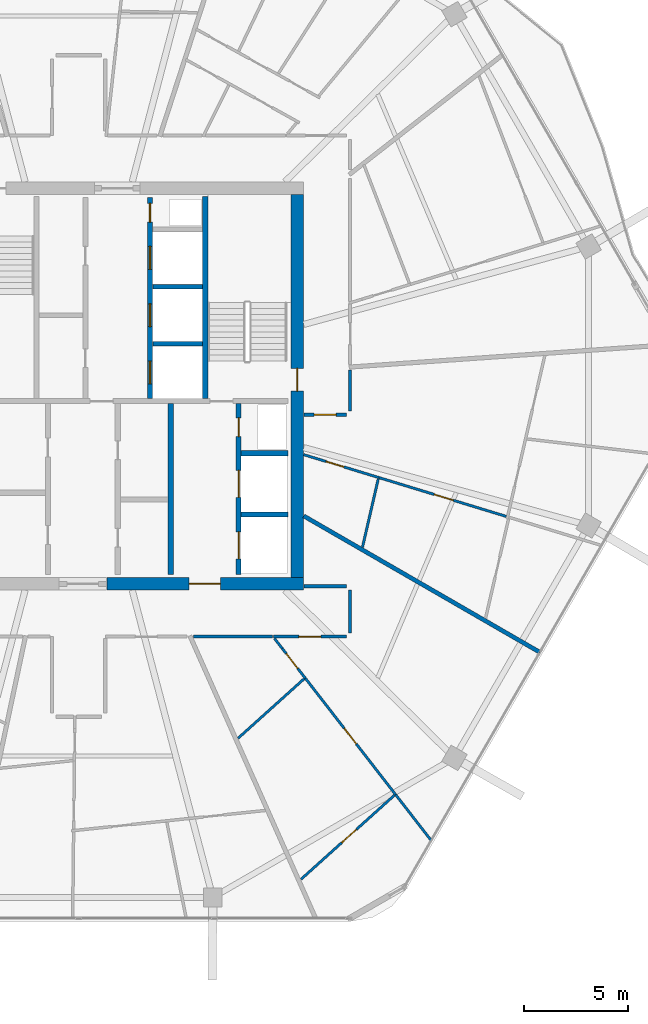
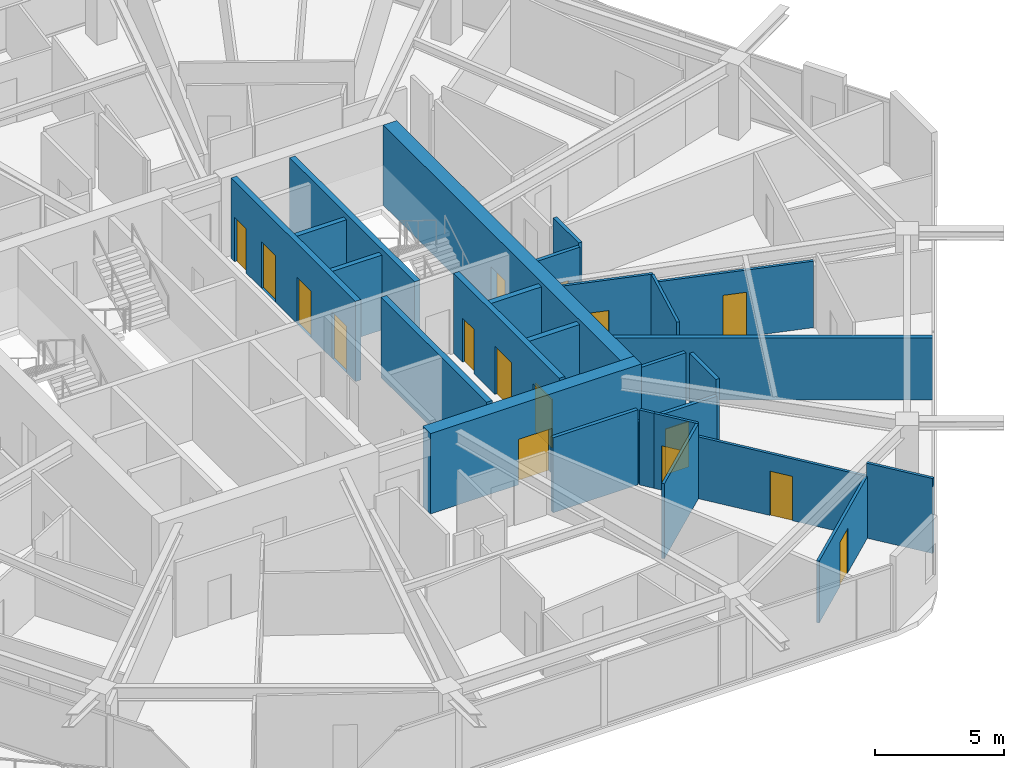
# One storey, part 20 of 26: 26 walls, 16 doors, 16 openings.
"""IFC4 building model written with IfcOpenShell, lengths in metres."""

from ifc_helpers import new_model, si_unit, direction, frame, frame_2d, origin, place, context, subcontext, project, spatial, rectangle, extrude, material, layer, layer_set, type_object, element, fill, save


model = new_model("IFC4")

# Units and contexts
model_context = context("Model", 3, precision=1e-05, world=origin(), true_north=direction((0.0, 1.0)))
body_context = subcontext(model_context, "Body", "Model", "MODEL_VIEW")
ifc_project = project(units=[si_unit("LENGTHUNIT", "METRE"), si_unit("AREAUNIT", "SQUARE_METRE"), si_unit("VOLUMEUNIT", "CUBIC_METRE"), si_unit("PLANEANGLEUNIT", "RADIAN"), si_unit("MASSUNIT", "GRAM", prefix="KILO")], contexts=[model_context])

# Site, building, storey
site_placement = place(None, origin())
site = spatial("IfcSite", under=ifc_project, at=site_placement, CompositionType="ELEMENT")
building_placement = place(site_placement, origin())
building = spatial("IfcBuilding", under=site, at=building_placement, Name="Zuhravey Tower", CompositionType="ELEMENT")
storey_placement = place(building_placement, frame((0.0, 0.0, 250.199951171875)))
storey = spatial("IfcBuildingStorey", under=building, at=storey_placement, Name="L63", CompositionType="ELEMENT", Elevation=250.199951171875)

# Wall, opening, door
ifc_material_1 = material(Name="Concrete C50/60", Category="concrete")
ifc_layer_1 = layer(ifc_material_1, 0.60009765625)
ifc_layer_set_1 = layer_set([ifc_layer_1], Name="Concrete C50/60")
wall_type_1 = type_object("IfcWallType", Name="Core Shear Wall 600", PredefinedType="SHEAR", material=ifc_layer_set_1)
wall_1_placement = place(storey_placement, frame((37.35009765625, 22.5, 0.0), z_axis=(0.0, 0.0, 1.0), x_axis=(1.0, 0.0, 0.0)))
wall_1 = element("IfcWall", 1, at=wall_1_placement, inside=storey, type_object=wall_type_1, Name="L63 South-East Core Shear Wall CW60", PredefinedType="SHEAR", context=body_context, shape_type="SweptSolid", body=[
    extrude(rectangle(XDim=9.449951171875, YDim=0.60009765625, at=frame_2d((4.72509765625, 0.0))), origin(), (0.0, 0.0, 1.0), 3.800048828125),
])
opening_1_placement = place(wall_1_placement, frame((3.949951171875, 0.0, 0.0)))
opening_1 = element("IfcOpeningElement", 2, at=opening_1_placement, cuts=wall_1, Name="Opening FFD1", PredefinedType="OPENING", context=body_context, shape_type="SweptSolid", body=[
    extrude(rectangle(XDim=1.5, YDim=2.14990234375, at=frame_2d((0.75, 1.074951171875))), frame((0.0, 0.31201171875, 0.0), z_axis=(0.0, -1.0, 0.0), x_axis=(1.0, 0.0, 0.0)), (0.0, 0.0, 1.0), 0.6240234375),
])
ifc_material_2 = material(Name="Galvanised fire-rated steel leaf", Category="steel")
door_type_1 = type_object("IfcDoorType", Name="Firefighting Lobby Double Door 1500x2150", OperationType="DOUBLE_DOOR_SINGLE_SWING", PredefinedType="DOOR", material=ifc_material_2)
door_1_placement = place(opening_1_placement, origin())
door_1 = element("IfcDoor", 3, at=door_1_placement, inside=storey, type_object=door_type_1, Name="L63 Firefighting Lobby East Door", OperationType="DOUBLE_DOOR_SINGLE_SWING", OverallHeight=2.14990234375, OverallWidth=1.5, PredefinedType="DOOR", context=body_context, shape_type="SweptSolid", body=[
    extrude(rectangle(XDim=1.5, YDim=2.14990234375, at=frame_2d((0.75, 1.074951171875))), frame((0.0, 0.02490234375, 0.0), z_axis=(0.0, -1.0, 0.0), x_axis=(1.0, 0.0, 0.0)), (0.0, 0.0, 1.0), 0.050048828125),
])
fill(opening_1, door_1)

wall_2_placement = place(storey_placement, frame((46.5, 22.800048828125, 0.0), z_axis=(0.0, 0.0, 1.0), x_axis=(0.0, 1.0, 0.0)))
wall_2 = element("IfcWall", 4, at=wall_2_placement, inside=storey, type_object=wall_type_1, Name="L63 East Core Shear Wall CW60", PredefinedType="SHEAR", context=body_context, shape_type="SweptSolid", body=[
    extrude(rectangle(XDim=18.39990234375, YDim=0.60009765625, at=frame_2d((9.199951171875, 0.0))), origin(), (0.0, 0.0, 1.0), 3.800048828125),
])
opening_2_placement = place(wall_2_placement, frame((8.949951171875, 0.0, 0.0)))
opening_2 = element("IfcOpeningElement", 5, at=opening_2_placement, cuts=wall_2, Name="Opening STD1", PredefinedType="OPENING", context=body_context, shape_type="SweptSolid", body=[
    extrude(rectangle(XDim=1.10009765625, YDim=2.14990234375, at=frame_2d((0.550048828125, 1.074951171875))), frame((0.0, 0.31201171875, 0.0), z_axis=(0.0, -1.0, 0.0), x_axis=(1.0, 0.0, 0.0)), (0.0, 0.0, 1.0), 0.6240234375),
])
door_type_2 = type_object("IfcDoorType", Name="Protected Stair Fire Door 1100x2150", OperationType="NOTDEFINED", PredefinedType="USERDEFINED", material=ifc_material_2)
door_2_placement = place(opening_2_placement, origin())
door_2 = element("IfcDoor", 6, at=door_2_placement, inside=storey, type_object=door_type_2, Name="L63 Stair ST2 Door", ObjectType="EXITDOOR", OperationType="SINGLE_SWING_LEFT", OverallHeight=2.14990234375, OverallWidth=1.10009765625, PredefinedType="USERDEFINED", context=body_context, shape_type="SweptSolid", body=[
    extrude(rectangle(XDim=1.10009765625, YDim=2.14990234375, at=frame_2d((0.550048828125, 1.074951171875))), frame((0.0, 0.02490234375, 0.0), z_axis=(0.0, -1.0, 0.0), x_axis=(1.0, 0.0, 0.0)), (0.0, 0.0, 1.0), 0.050048828125),
])
fill(opening_2, door_2)

ifc_material_3 = material(Name="Gypsum fire-rated stud partition")
ifc_layer_2 = layer(ifc_material_3, 0.159912109375)
ifc_layer_set_2 = layer_set([ifc_layer_2], Name="Gypsum fire-rated stud partition")
wall_type_2 = type_object("IfcWallType", Name="Corridor Fire Partition 160", PredefinedType="PARTITIONING", material=ifc_layer_set_2)
wall_3_placement = place(storey_placement, frame((45.356689453125, 19.969970703125, 0.0), z_axis=(0.0, 0.0, 1.0), x_axis=(1.0, 0.0, 0.0)))
wall_3 = element("IfcWall", 7, at=wall_3_placement, inside=storey, type_object=wall_type_2, Name="L63 IW16 Partition 051", PredefinedType="PARTITIONING", context=body_context, shape_type="SweptSolid", body=[
    extrude(rectangle(XDim=3.493408203125, YDim=0.159912109375, at=frame_2d((1.74658203125, 0.0))), origin(), (0.0, 0.0, 1.0), 2.949951171875),
])
opening_3_placement = place(wall_3_placement, frame((1.2216796875, 0.0, 0.0)))
opening_3 = element("IfcOpeningElement", 8, at=opening_3_placement, cuts=wall_3, Name="Opening APD1", PredefinedType="OPENING", context=body_context, shape_type="SweptSolid", body=[
    extrude(rectangle(XDim=1.050048828125, YDim=2.14990234375, at=frame_2d((0.52490234375, 1.074951171875))), frame((0.0, 0.092041015625, 0.0), z_axis=(0.0, -1.0, 0.0), x_axis=(1.0, 0.0, 0.0)), (0.0, 0.0, 1.0), 0.183837890625),
])
ifc_material_4 = material(Name="Solid-core oak fire-rated leaf")
door_type_3 = type_object("IfcDoorType", Name="Apartment Entrance Fire Door 1050x2150", OperationType="NOTDEFINED", PredefinedType="DOOR", material=ifc_material_4)
door_3_placement = place(opening_3_placement, frame((1.050048828125, 0.0, 0.0), z_axis=(0.0, 0.0, 1.0), x_axis=(-1.0, 0.0, 0.0)))
door_3 = element("IfcDoor", 9, at=door_3_placement, inside=storey, type_object=door_type_3, Name="L63 Door 051.1", OperationType="SINGLE_SWING_LEFT", OverallHeight=2.14990234375, OverallWidth=1.050048828125, PredefinedType="DOOR", context=body_context, shape_type="SweptSolid", body=[
    extrude(rectangle(XDim=1.050048828125, YDim=2.14990234375, at=frame_2d((0.52490234375, 1.074951171875))), frame((0.0, 0.02490234375, 0.0), z_axis=(0.0, -1.0, 0.0), x_axis=(1.0, 0.0, 0.0)), (0.0, 0.0, 1.0), 0.050048828125),
])
fill(opening_3, door_3)

wall_4_placement = place(storey_placement, frame((46.820068359375, 30.6201171875, 0.0), z_axis=(0.0, 0.0, 1.0), x_axis=(1.0, 0.0, 0.0)))
wall_4 = element("IfcWall", 10, at=wall_4_placement, inside=storey, type_object=wall_type_2, Name="L63 IW16 Partition 056", PredefinedType="PARTITIONING", context=body_context, shape_type="SweptSolid", body=[
    extrude(rectangle(XDim=2.030029296875, YDim=0.159912109375, at=frame_2d((1.01513671875, 0.0))), origin(), (0.0, 0.0, 1.0), 3.550048828125),
])
opening_4_placement = place(wall_4_placement, frame((0.489990234375, 0.0, 0.0)))
opening_4 = element("IfcOpeningElement", 11, at=opening_4_placement, cuts=wall_4, Name="Opening APD1", PredefinedType="OPENING", context=body_context, shape_type="SweptSolid", body=[
    extrude(rectangle(XDim=1.050048828125, YDim=2.14990234375, at=frame_2d((0.52490234375, 1.074951171875))), frame((0.0, 0.092041015625, 0.0), z_axis=(0.0, -1.0, 0.0), x_axis=(1.0, 0.0, 0.0)), (0.0, 0.0, 1.0), 0.183837890625),
])
door_4_placement = place(opening_4_placement, frame((1.050048828125, 0.0, 0.0), z_axis=(0.0, 0.0, 1.0), x_axis=(-1.0, 0.0, 0.0)))
door_4 = element("IfcDoor", 12, at=door_4_placement, inside=storey, type_object=door_type_3, Name="L63 Door 056.1", OperationType="SINGLE_SWING_LEFT", OverallHeight=2.14990234375, OverallWidth=1.050048828125, PredefinedType="DOOR", context=body_context, shape_type="SweptSolid", body=[
    extrude(rectangle(XDim=1.050048828125, YDim=2.14990234375, at=frame_2d((0.52490234375, 1.074951171875))), frame((0.0, 0.02490234375, 0.0), z_axis=(0.0, -1.0, 0.0), x_axis=(1.0, 0.0, 0.0)), (0.0, 0.0, 1.0), 0.050048828125),
])
fill(opening_4, door_4)

# Walls
wall_5_placement = place(storey_placement, frame((49.030029296875, 20.14990234375, 0.0), z_axis=(0.0, 0.0, 1.0), x_axis=(0.0, 1.0, 0.0)))
element("IfcWall", 13, at=wall_5_placement, inside=storey, type_object=wall_type_2, Name="L63 IW16 Partition 135", PredefinedType="PARTITIONING", context=body_context, shape_type="SweptSolid", body=[
    extrude(rectangle(XDim=2.050048828125, YDim=0.159912109375, at=frame_2d((1.02490234375, 0.0))), origin(), (0.0, 0.0, 1.0), 3.550048828125),
])
wall_6_placement = place(storey_placement, frame((48.85009765625, 22.3798828125, 0.0), z_axis=(0.0, 0.0, 1.0), x_axis=(-1.0, 0.0, 0.0)))
element("IfcWall", 14, at=wall_6_placement, inside=storey, type_object=wall_type_2, Name="L63 IW16 Partition 136", PredefinedType="PARTITIONING", context=body_context, shape_type="SweptSolid", body=[
    extrude(rectangle(XDim=2.030029296875, YDim=0.159912109375, at=frame_2d((1.01513671875, 0.0))), origin(), (0.0, 0.0, 1.0), 3.550048828125),
])
wall_7_placement = place(storey_placement, frame((41.50439453125, 19.969970703125, 0.0), z_axis=(0.0, 0.0, 1.0), x_axis=(1.0, 0.0, 0.0)))
element("IfcWall", 15, at=wall_7_placement, inside=storey, type_object=wall_type_2, Name="L63 IW16 Partition 137", PredefinedType="PARTITIONING", context=body_context, shape_type="SweptSolid", body=[
    extrude(rectangle(XDim=3.8017578125, YDim=0.159912109375, at=frame_2d((1.90087890625, 0.0))), origin(), (0.0, 0.0, 1.0), 3.550048828125),
])
wall_8_placement = place(storey_placement, frame((49.030029296875, 30.800048828125, 0.0), z_axis=(0.0, 0.0, 1.0), x_axis=(0.0, 1.0, 0.0)))
element("IfcWall", 16, at=wall_8_placement, inside=storey, type_object=wall_type_2, Name="L63 IW16 Partition 138", PredefinedType="PARTITIONING", context=body_context, shape_type="SweptSolid", body=[
    extrude(rectangle(XDim=1.976806640625, YDim=0.159912109375, at=frame_2d((0.98828125, 0.0))), origin(), (0.0, 0.0, 1.0), 3.550048828125),
])
ifc_layer_3 = layer(ifc_material_1, 0.25)
ifc_layer_set_3 = layer_set([ifc_layer_3], Name="Concrete C50/60")
wall_type_3 = type_object("IfcWallType", Name="Firefighting Shaft & Stair Wall 250", PredefinedType="SOLIDWALL", material=ifc_layer_set_3)
wall_9_placement = place(storey_placement, frame((42.074951171875, 31.39990234375, 0.0), z_axis=(0.0, 0.0, 1.0), x_axis=(0.0, 1.0, 0.0)))
element("IfcWall", 17, at=wall_9_placement, inside=storey, type_object=wall_type_3, Name="L63 FW25 Shaft Wall 006", PredefinedType="SOLIDWALL", context=body_context, shape_type="SweptSolid", body=[
    extrude(rectangle(XDim=9.7001953125, YDim=0.25, at=frame_2d((4.85009765625, 0.0))), origin(), (0.0, 0.0, 1.0), 3.800048828125),
])

# Wall, openings, doors
wall_10_placement = place(storey_placement, frame((39.425048828125, 31.39990234375, 0.0), z_axis=(0.0, 0.0, 1.0), x_axis=(0.0, 1.0, 0.0)))
wall_10 = element("IfcWall", 18, at=wall_10_placement, inside=storey, type_object=wall_type_3, Name="L63 FW25 Shaft Wall 008", PredefinedType="SOLIDWALL", context=body_context, shape_type="SweptSolid", body=[
    extrude(rectangle(XDim=9.650146484375, YDim=0.25, at=frame_2d((4.8251953125, 0.0))), origin(), (0.0, 0.0, 1.0), 3.800048828125),
])
opening_5_placement = place(wall_10_placement, frame((0.699951171875, 0.0, 0.0)))
opening_5 = element("IfcOpeningElement", 19, at=opening_5_placement, cuts=wall_10, Name="Opening LD1", PredefinedType="OPENING", context=body_context, shape_type="SweptSolid", body=[
    extrude(rectangle(XDim=1.10009765625, YDim=2.199951171875, at=frame_2d((0.550048828125, 1.10009765625))), frame((0.0, 0.136962890625, 0.0), z_axis=(0.0, -1.0, 0.0), x_axis=(1.0, 0.0, 0.0)), (0.0, 0.0, 1.0), 0.27392578125),
])
opening_6_placement = place(wall_10_placement, frame((3.449951171875, 0.0, 0.0)))
opening_6 = element("IfcOpeningElement", 20, at=opening_6_placement, cuts=wall_10, Name="Opening LD1", PredefinedType="OPENING", context=body_context, shape_type="SweptSolid", body=[
    extrude(rectangle(XDim=1.10009765625, YDim=2.199951171875, at=frame_2d((0.550048828125, 1.10009765625))), frame((0.0, 0.136962890625, 0.0), z_axis=(0.0, -1.0, 0.0), x_axis=(1.0, 0.0, 0.0)), (0.0, 0.0, 1.0), 0.27392578125),
])
opening_7_placement = place(wall_10_placement, frame((6.199951171875, 0.0, 0.0)))
opening_7 = element("IfcOpeningElement", 21, at=opening_7_placement, cuts=wall_10, Name="Opening LD1", PredefinedType="OPENING", context=body_context, shape_type="SweptSolid", body=[
    extrude(rectangle(XDim=1.10009765625, YDim=2.199951171875, at=frame_2d((0.550048828125, 1.10009765625))), frame((0.0, 0.136962890625, 0.0), z_axis=(0.0, -1.0, 0.0), x_axis=(1.0, 0.0, 0.0)), (0.0, 0.0, 1.0), 0.27392578125),
])
opening_8_placement = place(wall_10_placement, frame((8.469970703125, 0.0, 0.0)))
opening_8 = element("IfcOpeningElement", 22, at=opening_8_placement, cuts=wall_10, Name="Opening RSD1", PredefinedType="OPENING", context=body_context, shape_type="SweptSolid", body=[
    extrude(rectangle(XDim=0.89990234375, YDim=2.10009765625, at=frame_2d((0.449951171875, 1.050048828125))), frame((0.0, 0.136962890625, 0.0), z_axis=(0.0, -1.0, 0.0), x_axis=(1.0, 0.0, 0.0)), (0.0, 0.0, 1.0), 0.27392578125),
])
ifc_material_5 = material(Name="Brushed stainless steel", Category="steel")
door_type_4 = type_object("IfcDoorType", Name="Lift Landing Sliding Door 1100x2200", OperationType="DOUBLE_DOOR_SLIDING", PredefinedType="DOOR", material=ifc_material_5)
door_5_placement = place(opening_5_placement, origin())
door_5 = element("IfcDoor", 23, at=door_5_placement, inside=storey, type_object=door_type_4, Name="L63 Lift PL7 Landing Door", OperationType="DOUBLE_DOOR_SLIDING", OverallHeight=2.199951171875, OverallWidth=1.10009765625, PredefinedType="DOOR", context=body_context, shape_type="SweptSolid", body=[
    extrude(rectangle(XDim=1.10009765625, YDim=2.199951171875, at=frame_2d((0.550048828125, 1.10009765625))), frame((0.0, 0.02490234375, 0.0), z_axis=(0.0, -1.0, 0.0), x_axis=(1.0, 0.0, 0.0)), (0.0, 0.0, 1.0), 0.050048828125),
])
fill(opening_5, door_5)
door_6_placement = place(opening_6_placement, origin())
door_6 = element("IfcDoor", 24, at=door_6_placement, inside=storey, type_object=door_type_4, Name="L63 Lift PL8 Landing Door", OperationType="DOUBLE_DOOR_SLIDING", OverallHeight=2.199951171875, OverallWidth=1.10009765625, PredefinedType="DOOR", context=body_context, shape_type="SweptSolid", body=[
    extrude(rectangle(XDim=1.10009765625, YDim=2.199951171875, at=frame_2d((0.550048828125, 1.10009765625))), frame((0.0, 0.02490234375, 0.0), z_axis=(0.0, -1.0, 0.0), x_axis=(1.0, 0.0, 0.0)), (0.0, 0.0, 1.0), 0.050048828125),
])
fill(opening_6, door_6)
door_7_placement = place(opening_7_placement, origin())
door_7 = element("IfcDoor", 25, at=door_7_placement, inside=storey, type_object=door_type_4, Name="L63 Lift PL9 Landing Door", OperationType="DOUBLE_DOOR_SLIDING", OverallHeight=2.199951171875, OverallWidth=1.10009765625, PredefinedType="DOOR", context=body_context, shape_type="SweptSolid", body=[
    extrude(rectangle(XDim=1.10009765625, YDim=2.199951171875, at=frame_2d((0.550048828125, 1.10009765625))), frame((0.0, 0.02490234375, 0.0), z_axis=(0.0, -1.0, 0.0), x_axis=(1.0, 0.0, 0.0)), (0.0, 0.0, 1.0), 0.050048828125),
])
fill(opening_7, door_7)
ifc_material_6 = material(Name="Galvanised fire-rated steel access leaf", Category="steel")
door_type_5 = type_object("IfcDoorType", Name="Riser & Shaft Access Fire Door 900x2100", OperationType="NOTDEFINED", PredefinedType="DOOR", material=ifc_material_6)
door_8_placement = place(opening_8_placement, origin())
door_8 = element("IfcDoor", 26, at=door_8_placement, inside=storey, type_object=door_type_5, Name="L63 North Riser Door", OperationType="SINGLE_SWING_RIGHT", OverallHeight=2.10009765625, OverallWidth=0.89990234375, PredefinedType="DOOR", context=body_context, shape_type="SweptSolid", body=[
    extrude(rectangle(XDim=0.89990234375, YDim=2.10009765625, at=frame_2d((0.449951171875, 1.050048828125))), frame((0.0, 0.02490234375, 0.0), z_axis=(0.0, -1.0, 0.0), x_axis=(1.0, 0.0, 0.0)), (0.0, 0.0, 1.0), 0.050048828125),
])
fill(opening_8, door_8)

# Walls
wall_11_placement = place(storey_placement, frame((40.425048828125, 22.949951171875, 0.0), z_axis=(0.0, 0.0, 1.0), x_axis=(0.0, 1.0, 0.0)))
element("IfcWall", 27, at=wall_11_placement, inside=storey, type_object=wall_type_3, Name="L63 FW25 Shaft Wall 017", PredefinedType="SOLIDWALL", context=body_context, shape_type="SweptSolid", body=[
    extrude(rectangle(XDim=8.199951171875, YDim=0.25, at=frame_2d((4.10009765625, 0.0))), origin(), (0.0, 0.0, 1.0), 3.800048828125),
])
for number, where, z_axis, x_axis, name in (
    (28, (43.800048828125, 25.824951171875, 0.0), (0.0, 0.0, 1.0), (1.0, 0.0, 0.0), "L63 FW25 Shaft Wall 018"),
    (29, (43.800048828125, 28.77490234375, 0.0), (0.0, 0.0, 1.0), (1.0, 0.0, 0.0), "L63 FW25 Shaft Wall 019"),
):
    element("IfcWall", number, at=place(storey_placement, frame(where, z_axis=z_axis, x_axis=x_axis)), inside=storey, type_object=wall_type_3, Name=name, PredefinedType="SOLIDWALL", context=body_context, shape_type="SweptSolid", body=[
        extrude(rectangle(XDim=2.25, YDim=0.25, at=frame_2d((1.125, 0.0))), origin(), (0.0, 0.0, 1.0), 3.800048828125),
    ])

# Wall, openings, doors
wall_12_placement = place(storey_placement, frame((43.675048828125, 22.949951171875, 0.0), z_axis=(0.0, 0.0, 1.0), x_axis=(0.0, 1.0, 0.0)))
wall_12 = element("IfcWall", 30, at=wall_12_placement, inside=storey, type_object=wall_type_3, Name="L63 FW25 Shaft Wall 020", PredefinedType="SOLIDWALL", context=body_context, shape_type="SweptSolid", body=[
    extrude(rectangle(XDim=8.199951171875, YDim=0.25, at=frame_2d((4.10009765625, 0.0))), origin(), (0.0, 0.0, 1.0), 3.800048828125),
])
opening_9_placement = place(wall_12_placement, frame((0.75, 0.0, 0.0)))
opening_9 = element("IfcOpeningElement", 31, at=opening_9_placement, cuts=wall_12, Name="Opening LD2", PredefinedType="OPENING", context=body_context, shape_type="SweptSolid", body=[
    extrude(rectangle(XDim=1.300048828125, YDim=2.300048828125, at=frame_2d((0.64990234375, 1.14990234375))), frame((0.0, 0.136962890625, 0.0), z_axis=(0.0, -1.0, 0.0), x_axis=(1.0, 0.0, 0.0)), (0.0, 0.0, 1.0), 0.27392578125),
])
opening_10_placement = place(wall_12_placement, frame((3.699951171875, 0.0, 0.0)))
opening_10 = element("IfcOpeningElement", 32, at=opening_10_placement, cuts=wall_12, Name="Opening LD2", PredefinedType="OPENING", context=body_context, shape_type="SweptSolid", body=[
    extrude(rectangle(XDim=1.300048828125, YDim=2.300048828125, at=frame_2d((0.64990234375, 1.14990234375))), frame((0.0, 0.136962890625, 0.0), z_axis=(0.0, -1.0, 0.0), x_axis=(1.0, 0.0, 0.0)), (0.0, 0.0, 1.0), 0.27392578125),
])
opening_11_placement = place(wall_12_placement, frame((6.6201171875, 0.0, 0.0)))
opening_11 = element("IfcOpeningElement", 33, at=opening_11_placement, cuts=wall_12, Name="Opening RSD1", PredefinedType="OPENING", context=body_context, shape_type="SweptSolid", body=[
    extrude(rectangle(XDim=0.89990234375, YDim=2.10009765625, at=frame_2d((0.449951171875, 1.050048828125))), frame((0.0, 0.136962890625, 0.0), z_axis=(0.0, -1.0, 0.0), x_axis=(1.0, 0.0, 0.0)), (0.0, 0.0, 1.0), 0.27392578125),
])
door_type_6 = type_object("IfcDoorType", Name="Freight & Stretcher Lift Sliding Door 1300x2300", OperationType="DOUBLE_DOOR_SLIDING", PredefinedType="DOOR", material=ifc_material_5)
door_9_placement = place(opening_9_placement, origin())
door_9 = element("IfcDoor", 34, at=door_9_placement, inside=storey, type_object=door_type_6, Name="L63 Lift FF2 Landing Door", OperationType="DOUBLE_DOOR_SLIDING", OverallHeight=2.300048828125, OverallWidth=1.300048828125, PredefinedType="DOOR", context=body_context, shape_type="SweptSolid", body=[
    extrude(rectangle(XDim=1.300048828125, YDim=2.300048828125, at=frame_2d((0.64990234375, 1.14990234375))), frame((0.0, 0.02490234375, 0.0), z_axis=(0.0, -1.0, 0.0), x_axis=(1.0, 0.0, 0.0)), (0.0, 0.0, 1.0), 0.050048828125),
])
fill(opening_9, door_9)
door_10_placement = place(opening_10_placement, origin())
door_10 = element("IfcDoor", 35, at=door_10_placement, inside=storey, type_object=door_type_6, Name="L63 Lift SV1 Landing Door", OperationType="DOUBLE_DOOR_SLIDING", OverallHeight=2.300048828125, OverallWidth=1.300048828125, PredefinedType="DOOR", context=body_context, shape_type="SweptSolid", body=[
    extrude(rectangle(XDim=1.300048828125, YDim=2.300048828125, at=frame_2d((0.64990234375, 1.14990234375))), frame((0.0, 0.02490234375, 0.0), z_axis=(0.0, -1.0, 0.0), x_axis=(1.0, 0.0, 0.0)), (0.0, 0.0, 1.0), 0.050048828125),
])
fill(opening_10, door_10)
door_11_placement = place(opening_11_placement, origin())
door_11 = element("IfcDoor", 36, at=door_11_placement, inside=storey, type_object=door_type_5, Name="L63 Plumbing Riser Door", OperationType="SINGLE_SWING_LEFT", OverallHeight=2.10009765625, OverallWidth=0.89990234375, PredefinedType="DOOR", context=body_context, shape_type="SweptSolid", body=[
    extrude(rectangle(XDim=0.89990234375, YDim=2.10009765625, at=frame_2d((0.449951171875, 1.050048828125))), frame((0.0, 0.02490234375, 0.0), z_axis=(0.0, -1.0, 0.0), x_axis=(1.0, 0.0, 0.0)), (0.0, 0.0, 1.0), 0.050048828125),
])
fill(opening_11, door_11)

# Walls
ifc_material_7 = material(Name="Gypsum double-stud party assembly")
ifc_layer_4 = layer(ifc_material_7, 0.199951171875)
ifc_layer_set_4 = layer_set([ifc_layer_4], Name="Gypsum double-stud party assembly")
wall_type_4 = type_object("IfcWallType", Name="Inter-Tenancy Party Wall 200", PredefinedType="PARTITIONING", material=ifc_layer_set_4)
wall_13_placement = place(storey_placement, frame((46.80810546875, 25.760009765625, 0.0), z_axis=(0.0, 0.0, 1.0), x_axis=(0.86602399778, -0.500002435262, 0.0)))
element("IfcWall", 37, at=wall_13_placement, inside=storey, type_object=wall_type_4, Name="L63 IW20 Partition 104", PredefinedType="PARTITIONING", context=body_context, shape_type="SweptSolid", body=[
    extrude(rectangle(XDim=13.08349609375, YDim=0.199951171875, at=frame_2d((6.541748046875, 0.0))), origin(), (0.0, 0.0, 1.0), 2.929931640625),
])
ifc_material_8 = material(Name="Gypsum acoustic stud assembly")
ifc_layer_5 = layer(ifc_material_8, 0.219970703125)
ifc_layer_set_5 = layer_set([ifc_layer_5], Name="Gypsum acoustic stud assembly")
wall_type_5 = type_object("IfcWallType", Name="School Acoustic Compartment Wall 220", PredefinedType="PARTITIONING", material=ifc_layer_set_5)
for number, where, z_axis, x_axis, name in (
    (38, (39.55810546875, 34.02490234375, 0.0), (0.0, 0.0, 1.0), (1.0, 0.0, 0.0), "L63 IW22 Partition 070"),
    (39, (39.55810546875, 36.77490234375, 0.0), (0.0, 0.0, 1.0), (1.0, 0.0, 0.0), "L63 IW22 Partition 071"),
):
    element("IfcWall", number, at=place(storey_placement, frame(where, z_axis=z_axis, x_axis=x_axis)), inside=storey, type_object=wall_type_5, Name=name, PredefinedType="PARTITIONING", context=body_context, shape_type="SweptSolid", body=[
        extrude(rectangle(XDim=2.3837890625, YDim=0.219970703125, at=frame_2d((1.19189453125, 0.0))), origin(), (0.0, 0.0, 1.0), 3.550048828125),
    ])

# Wall, opening, door
ifc_material_9 = material(Name="Gypsum metal-stud partition")
ifc_layer_6 = layer(ifc_material_9, 0.1201171875)
ifc_layer_set_6 = layer_set([ifc_layer_6], Name="Gypsum metal-stud partition")
wall_type_6 = type_object("IfcWallType", Name="Unit Internal Partition 120", PredefinedType="PARTITIONING", material=ifc_layer_set_6)
wall_14_placement = place(storey_placement, frame((45.7734375, 19.39990234375, 0.0), z_axis=(0.0, 0.0, 1.0), x_axis=(0.612972513082, -0.790104232495, 0.0)))
wall_14 = element("IfcWall", 40, at=wall_14_placement, inside=storey, type_object=wall_type_6, Name="L63 IW12 Partition 048", PredefinedType="PARTITIONING", context=body_context, shape_type="SweptSolid", body=[
    extrude(rectangle(XDim=1.816650390625, YDim=0.1201171875, at=frame_2d((0.908203125, 0.0))), origin(), (0.0, 0.0, 1.0), 3.550048828125),
])
opening_12_placement = place(wall_14_placement, frame((0.31298828125, 0.0, 0.0)))
opening_12 = element("IfcOpeningElement", 41, at=opening_12_placement, cuts=wall_14, Name="Opening WCD1", PredefinedType="OPENING", context=body_context, shape_type="SweptSolid", body=[
    extrude(rectangle(XDim=0.89990234375, YDim=2.10009765625, at=frame_2d((0.449951171875, 1.050048828125))), frame((0.0, 0.072021484375, 0.0), z_axis=(0.0, -1.0, 0.0), x_axis=(1.0, 0.0, 0.0)), (0.0, 0.0, 1.0), 0.14404296875),
])
ifc_material_10 = material(Name="Moisture-resistant timber leaf", Category="wood")
door_type_7 = type_object("IfcDoorType", Name="Bathroom & WC Internal Door 900x2100", OperationType="NOTDEFINED", PredefinedType="DOOR", material=ifc_material_10)
door_12_placement = place(opening_12_placement, frame((0.89990234375, 0.0, 0.0), z_axis=(0.0, 0.0, 1.0), x_axis=(-1.0, 0.0, 0.0)))
door_12 = element("IfcDoor", 42, at=door_12_placement, inside=storey, type_object=door_type_7, Name="Apartment L63-07 Bathroom Door", OperationType="SINGLE_SWING_RIGHT", OverallHeight=2.10009765625, OverallWidth=0.89990234375, PredefinedType="DOOR", context=body_context, shape_type="SweptSolid", body=[
    extrude(rectangle(XDim=0.89990234375, YDim=2.10009765625, at=frame_2d((0.449951171875, 1.050048828125))), frame((0.0, 0.02490234375, 0.0), z_axis=(0.0, -1.0, 0.0), x_axis=(1.0, 0.0, 0.0)), (0.0, 0.0, 1.0), 0.050048828125),
])
fill(opening_12, door_12)

wall_15_placement = place(storey_placement, frame((46.88720703125, 17.964599609375, 0.0), z_axis=(0.0, 0.0, 1.0), x_axis=(0.612896077685, -0.790163526087, 0.0)))
wall_15 = element("IfcWall", 43, at=wall_15_placement, inside=storey, type_object=wall_type_6, Name="L63 IW12 Partition 049", PredefinedType="PARTITIONING", context=body_context, shape_type="SweptSolid", body=[
    extrude(rectangle(XDim=7.074951171875, YDim=0.1201171875, at=frame_2d((3.53759765625, 0.0))), origin(), (0.0, 0.0, 1.0), 2.929931640625),
])
opening_13_placement = place(wall_15_placement, frame((3.03759765625, 0.0, 0.0)))
opening_13 = element("IfcOpeningElement", 44, at=opening_13_placement, cuts=wall_15, Name="Opening IND1", PredefinedType="OPENING", context=body_context, shape_type="SweptSolid", body=[
    extrude(rectangle(XDim=0.949951171875, YDim=2.10009765625, at=frame_2d((0.47509765625, 1.050048828125))), frame((0.0, 0.072021484375, 0.0), z_axis=(0.0, -1.0, 0.0), x_axis=(1.0, 0.0, 0.0)), (0.0, 0.0, 1.0), 0.14404296875),
])
ifc_material_11 = material(Name="Painted engineered timber leaf", Category="wood")
door_type_8 = type_object("IfcDoorType", Name="Internal Room & Bedroom Door 950x2100", OperationType="NOTDEFINED", PredefinedType="DOOR", material=ifc_material_11)
door_13_placement = place(opening_13_placement, frame((0.949951171875, 0.0, 0.0), z_axis=(0.0, 0.0, 1.0), x_axis=(-1.0, 0.0, 0.0)))
door_13 = element("IfcDoor", 45, at=door_13_placement, inside=storey, type_object=door_type_8, Name="Apartment L63-07 Home Office Door", OperationType="SINGLE_SWING_LEFT", OverallHeight=2.10009765625, OverallWidth=0.949951171875, PredefinedType="DOOR", context=body_context, shape_type="SweptSolid", body=[
    extrude(rectangle(XDim=0.949951171875, YDim=2.10009765625, at=frame_2d((0.47509765625, 1.050048828125))), frame((0.0, 0.02490234375, 0.0), z_axis=(0.0, -1.0, 0.0), x_axis=(1.0, 0.0, 0.0)), (0.0, 0.0, 1.0), 0.050048828125),
])
fill(opening_13, door_13)

wall_16_placement = place(storey_placement, frame((46.68212890625, 8.319091796875, 0.0), z_axis=(0.0, 0.0, 1.0), x_axis=(0.743153013224, 0.669121512834, 0.0)))
wall_16 = element("IfcWall", 46, at=wall_16_placement, inside=storey, type_object=wall_type_6, Name="L63 IW12 Partition 050", PredefinedType="PARTITIONING", context=body_context, shape_type="SweptSolid", body=[
    extrude(rectangle(XDim=6.021728515625, YDim=0.1201171875, at=frame_2d((3.0107421875, 0.0))), origin(), (0.0, 0.0, 1.0), 2.929931640625),
])
opening_14_placement = place(wall_16_placement, frame((2.6201171875, 0.0, 0.0)))
opening_14 = element("IfcOpeningElement", 47, at=opening_14_placement, cuts=wall_16, Name="Opening IND1", PredefinedType="OPENING", context=body_context, shape_type="SweptSolid", body=[
    extrude(rectangle(XDim=0.949951171875, YDim=2.10009765625, at=frame_2d((0.47509765625, 1.050048828125))), frame((0.0, 0.072021484375, 0.0), z_axis=(0.0, -1.0, 0.0), x_axis=(1.0, 0.0, 0.0)), (0.0, 0.0, 1.0), 0.14404296875),
])
door_14_placement = place(opening_14_placement, frame((0.949951171875, 0.0, 0.0), z_axis=(0.0, 0.0, 1.0), x_axis=(-1.0, 0.0, 0.0)))
door_14 = element("IfcDoor", 48, at=door_14_placement, inside=storey, type_object=door_type_8, Name="Apartment L63-07 Bedroom 1 Door", OperationType="SINGLE_SWING_RIGHT", OverallHeight=2.10009765625, OverallWidth=0.949951171875, PredefinedType="DOOR", context=body_context, shape_type="SweptSolid", body=[
    extrude(rectangle(XDim=0.949951171875, YDim=2.10009765625, at=frame_2d((0.47509765625, 1.050048828125))), frame((0.0, 0.02490234375, 0.0), z_axis=(0.0, -1.0, 0.0), x_axis=(1.0, 0.0, 0.0)), (0.0, 0.0, 1.0), 0.050048828125),
])
fill(opening_14, door_14)

wall_17_placement = place(storey_placement, frame((46.80810546875, 28.703857421875, 0.0), z_axis=(0.0, 0.0, 1.0), x_axis=(0.956504815911, -0.291716535594, 0.0)))
wall_17 = element("IfcWall", 49, at=wall_17_placement, inside=storey, type_object=wall_type_6, Name="L63 IW12 Partition 053", PredefinedType="PARTITIONING", context=body_context, shape_type="SweptSolid", body=[
    extrude(rectangle(XDim=3.78125, YDim=0.1201171875, at=frame_2d((1.890625, 0.0))), origin(), (0.0, 0.0, 1.0), 3.550048828125),
])
opening_15_placement = place(wall_17_placement, frame((1.11865234375, 0.0, 0.0)))
opening_15 = element("IfcOpeningElement", 50, at=opening_15_placement, cuts=wall_17, Name="Opening WCD1", PredefinedType="OPENING", context=body_context, shape_type="SweptSolid", body=[
    extrude(rectangle(XDim=0.89990234375, YDim=2.10009765625, at=frame_2d((0.449951171875, 1.050048828125))), frame((0.0, 0.072021484375, 0.0), z_axis=(0.0, -1.0, 0.0), x_axis=(1.0, 0.0, 0.0)), (0.0, 0.0, 1.0), 0.14404296875),
])
door_15_placement = place(opening_15_placement, frame((0.89990234375, 0.0, 0.0), z_axis=(0.0, 0.0, 1.0), x_axis=(-1.0, 0.0, 0.0)))
door_15 = element("IfcDoor", 51, at=door_15_placement, inside=storey, type_object=door_type_7, Name="Apartment L63-08 Bathroom Door", OperationType="SINGLE_SWING_RIGHT", OverallHeight=2.10009765625, OverallWidth=0.89990234375, PredefinedType="DOOR", context=body_context, shape_type="SweptSolid", body=[
    extrude(rectangle(XDim=0.89990234375, YDim=2.10009765625, at=frame_2d((0.449951171875, 1.050048828125))), frame((0.0, 0.02490234375, 0.0), z_axis=(0.0, -1.0, 0.0), x_axis=(1.0, 0.0, 0.0)), (0.0, 0.0, 1.0), 0.050048828125),
])
fill(opening_15, door_15)

wall_18_placement = place(storey_placement, frame((50.4248046875, 27.600830078125, 0.0), z_axis=(0.0, 0.0, 1.0), x_axis=(0.956517137307, -0.291676132103, 0.0)))
wall_18 = element("IfcWall", 52, at=wall_18_placement, inside=storey, type_object=wall_type_6, Name="L63 IW12 Partition 054", PredefinedType="PARTITIONING", context=body_context, shape_type="SweptSolid", body=[
    extrude(rectangle(XDim=6.381591796875, YDim=0.1201171875, at=frame_2d((3.19091796875, 0.0))), origin(), (0.0, 0.0, 1.0), 3.150146484375),
])
opening_16_placement = place(wall_18_placement, frame((2.771484375, 0.0, 0.0)))
opening_16 = element("IfcOpeningElement", 53, at=opening_16_placement, cuts=wall_18, Name="Opening IND1", PredefinedType="OPENING", context=body_context, shape_type="SweptSolid", body=[
    extrude(rectangle(XDim=0.949951171875, YDim=2.10009765625, at=frame_2d((0.47509765625, 1.050048828125))), frame((0.0, 0.072021484375, 0.0), z_axis=(0.0, -1.0, 0.0), x_axis=(1.0, 0.0, 0.0)), (0.0, 0.0, 1.0), 0.14404296875),
])
door_16_placement = place(opening_16_placement, frame((0.949951171875, 0.0, 0.0), z_axis=(0.0, 0.0, 1.0), x_axis=(-1.0, 0.0, 0.0)))
door_16 = element("IfcDoor", 54, at=door_16_placement, inside=storey, type_object=door_type_8, Name="Apartment L63-08 Home Office Door", OperationType="SINGLE_SWING_LEFT", OverallHeight=2.10009765625, OverallWidth=0.949951171875, PredefinedType="DOOR", context=body_context, shape_type="SweptSolid", body=[
    extrude(rectangle(XDim=0.949951171875, YDim=2.10009765625, at=frame_2d((0.47509765625, 1.050048828125))), frame((0.0, 0.02490234375, 0.0), z_axis=(0.0, -1.0, 0.0), x_axis=(1.0, 0.0, 0.0)), (0.0, 0.0, 1.0), 0.050048828125),
])
fill(opening_16, door_16)

# Walls
wall_19_placement = place(storey_placement, frame((45.399658203125, 19.882080078125, 0.0), z_axis=(0.0, 0.0, 1.0), x_axis=(0.612665415135, -0.790342387258, 0.0)))
element("IfcWall", 55, at=wall_19_placement, inside=storey, type_object=wall_type_6, Name="L63 IW12 Partition 101", PredefinedType="PARTITIONING", context=body_context, shape_type="SweptSolid", body=[
    extrude(rectangle(XDim=0.610107421875, YDim=0.1201171875, at=frame_2d((0.30517578125, 0.0))), origin(), (0.0, 0.0, 1.0), 3.550048828125),
])
wall_20_placement = place(storey_placement, frame((51.223388671875, 12.374267578125, 0.0), z_axis=(0.0, 0.0, 1.0), x_axis=(0.612844799687, -0.790203297574, 0.0)))
element("IfcWall", 56, at=wall_20_placement, inside=storey, type_object=wall_type_6, Name="L63 IW12 Partition 102", PredefinedType="PARTITIONING", context=body_context, shape_type="SweptSolid", body=[
    extrude(rectangle(XDim=2.77783203125, YDim=0.1201171875, at=frame_2d((1.388916015625, 0.0))), origin(), (0.0, 0.0, 1.0), 3.550048828125),
])
wall_21_placement = place(storey_placement, frame((43.64990234375, 15.08349609375, 0.0), z_axis=(0.0, 0.0, 1.0), x_axis=(0.743154729862, 0.669119606262, 0.0)))
element("IfcWall", 57, at=wall_21_placement, inside=storey, type_object=wall_type_6, Name="L63 IW12 Partition 103", PredefinedType="PARTITIONING", context=body_context, shape_type="SweptSolid", body=[
    extrude(rectangle(XDim=4.26708984375, YDim=0.1201171875, at=frame_2d((2.133544921875, 0.0))), origin(), (0.0, 0.0, 1.0), 3.550048828125),
])
wall_22_placement = place(storey_placement, frame((49.627197265625, 24.257080078125, 0.0), z_axis=(0.0, 0.0, 1.0), x_axis=(0.224944134333, 0.97437166237, 0.0)))
element("IfcWall", 58, at=wall_22_placement, inside=storey, type_object=wall_type_6, Name="L63 IW12 Partition 107", PredefinedType="PARTITIONING", context=body_context, shape_type="SweptSolid", body=[
    extrude(rectangle(XDim=3.37109375, YDim=0.1201171875, at=frame_2d((1.685546875, 0.0))), origin(), (0.0, 0.0, 1.0), 3.550048828125),
])

save(model, "model.ifc")
